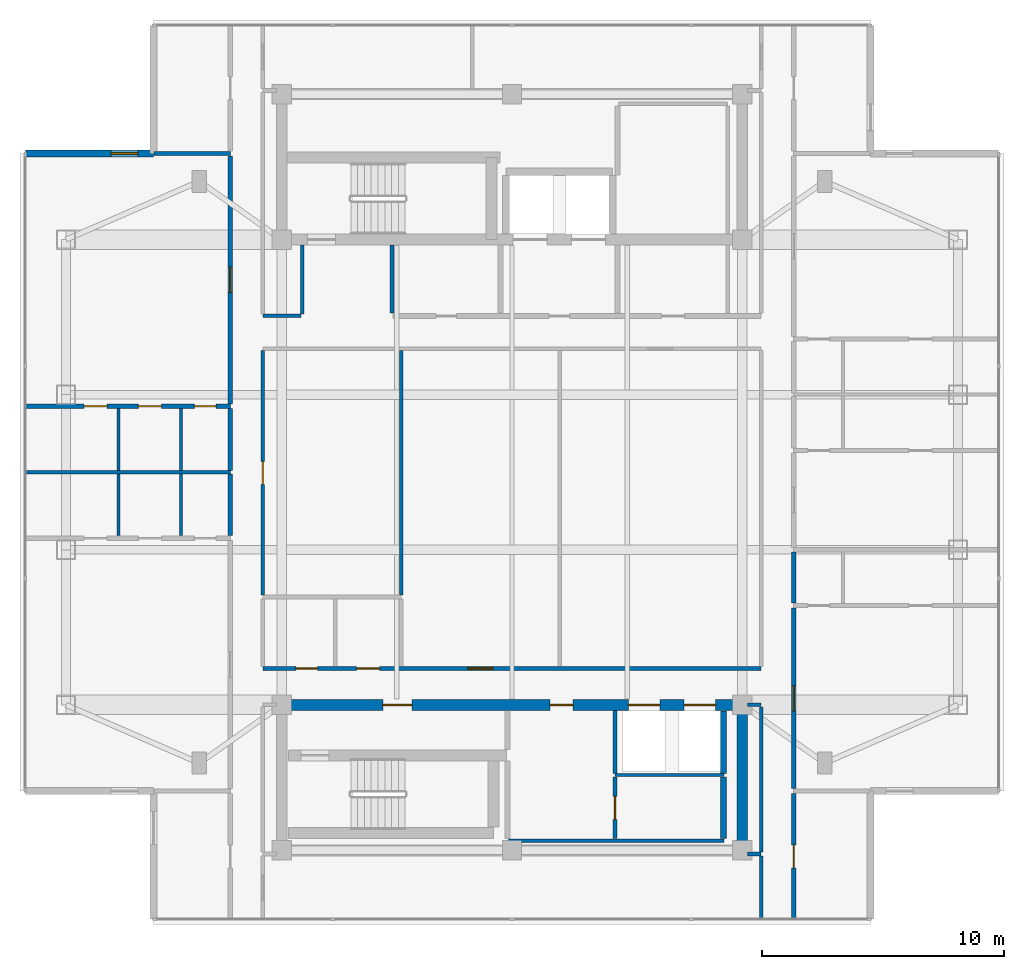
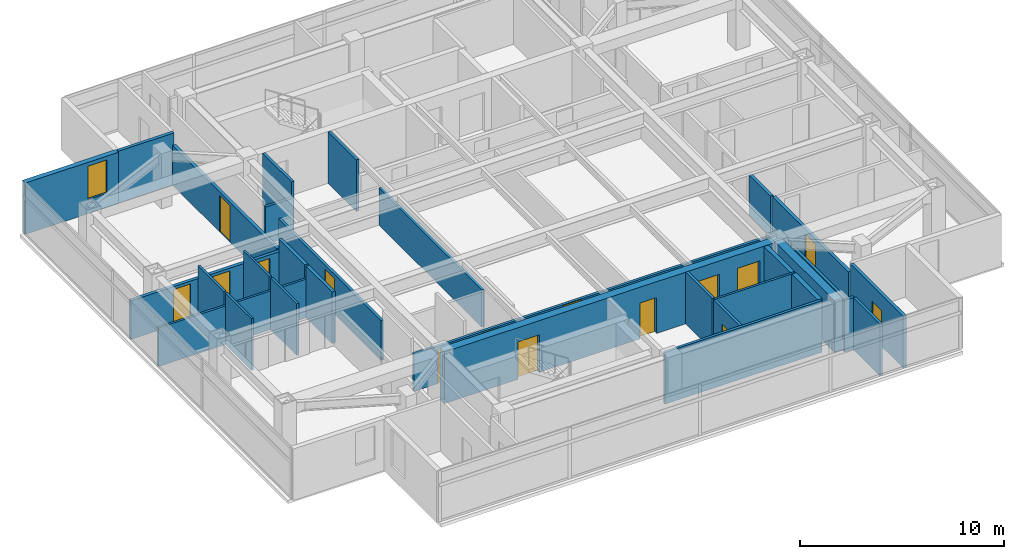
# One storey, part 7 of 12: 32 walls, 15 doors, 1 window, 16 openings.
"""IFC4 building model written with IfcOpenShell, lengths in metres."""

from ifc_helpers import new_model, si_unit, direction, frame, frame_2d, origin, place, context, subcontext, project, spatial, rectangle, extrude, material, layer, layer_set, type_object, element, fill, save


model = new_model("IFC4")

# Units and contexts
model_context = context("Model", 3, precision=1e-05, world=origin(), true_north=direction((0.0, 1.0)))
body_context = subcontext(model_context, "Body", "Model", "MODEL_VIEW")
ifc_project = project(units=[si_unit("LENGTHUNIT", "METRE"), si_unit("AREAUNIT", "SQUARE_METRE"), si_unit("VOLUMEUNIT", "CUBIC_METRE"), si_unit("PLANEANGLEUNIT", "RADIAN"), si_unit("MASSUNIT", "GRAM", prefix="KILO")], contexts=[model_context])

# Site, building, storey
site_placement = place(None, origin())
site = spatial("IfcSite", under=ifc_project, at=site_placement, CompositionType="ELEMENT")
building_placement = place(site_placement, origin())
building = spatial("IfcBuilding", under=site, at=building_placement, Name="Mirazonda Arch Towers", CompositionType="ELEMENT")
storey_placement = place(building_placement, frame((0.0, 0.0, 219.39990234375)))
storey = spatial("IfcBuildingStorey", under=building, at=storey_placement, Name="L62", CompositionType="ELEMENT", Elevation=219.39990234375)

# Wall
ifc_material_1 = material(Name="Concrete C50/60", Category="concrete")
ifc_layer_1 = layer(ifc_material_1, 0.449951171875, Name="WALL-CORE-450")
ifc_layer_set_1 = layer_set([ifc_layer_1], Name="Concrete C50/60")
wall_type_1 = type_object("IfcWallType", Name="WALL-CORE-450", PredefinedType="SHEAR", material=ifc_layer_set_1)
wall_1_placement = place(storey_placement, frame((30.0, 12.39990234375, 0.0), z_axis=(0.0, 0.0, 1.0), x_axis=(0.0, 1.0, 0.0)))
element("IfcWall", 1, at=wall_1_placement, inside=storey, type_object=wall_type_1, Name="L62 T1S-E Core Shear Wall", PredefinedType="SHEAR", context=body_context, shape_type="SweptSolid", body=[
    extrude(rectangle(XDim=6.0, YDim=0.449951171875, at=frame_2d((3.0, 0.0))), origin(), (0.0, 0.0, 1.0), 3.10009765625),
])

# Wall, openings, doors
wall_2_placement = place(storey_placement, frame((11.0, 18.39990234375, 0.0), z_axis=(0.0, 0.0, 1.0), x_axis=(1.0, 0.0, 0.0)))
wall_2 = element("IfcWall", 2, at=wall_2_placement, inside=storey, type_object=wall_type_1, Name="L62 T1S-N Core Shear Wall", PredefinedType="SHEAR", context=body_context, shape_type="SweptSolid", body=[
    extrude(rectangle(XDim=19.0, YDim=0.449951171875, at=frame_2d((9.5, 0.0))), origin(), (0.0, 0.0, 1.0), 3.10009765625),
])
opening_1_placement = place(wall_2_placement, frame((4.175048828125, 0.0, 0.0)))
opening_1 = element("IfcOpeningElement", 3, at=opening_1_placement, cuts=wall_2, Name="Opening DR-117", PredefinedType="OPENING", context=body_context, shape_type="SweptSolid", body=[
    extrude(rectangle(XDim=1.199951171875, YDim=2.25, at=frame_2d((0.60009765625, 1.125))), frame((0.0, 0.23486328125, 0.0), z_axis=(0.0, -1.0, 0.0), x_axis=(1.0, 0.0, 0.0)), (0.0, 0.0, 1.0), 0.469970703125),
])
opening_2_placement = place(wall_2_placement, frame((11.074951171875, 0.0, 0.0)))
opening_2 = element("IfcOpeningElement", 4, at=opening_2_placement, cuts=wall_2, Name="Opening DR-104", PredefinedType="OPENING", context=body_context, shape_type="SweptSolid", body=[
    extrude(rectangle(XDim=0.949951171875, YDim=2.14990234375, at=frame_2d((0.47509765625, 1.074951171875))), frame((0.0, 0.23486328125, 0.0), z_axis=(0.0, -1.0, 0.0), x_axis=(1.0, 0.0, 0.0)), (0.0, 0.0, 1.0), 0.469970703125),
])
opening_3_placement = place(wall_2_placement, frame((14.300048828125, 0.0, 0.0)))
opening_3 = element("IfcOpeningElement", 5, at=opening_3_placement, cuts=wall_2, Name="Opening LD-111", PredefinedType="OPENING", context=body_context, shape_type="SweptSolid", body=[
    extrude(rectangle(XDim=1.300048828125, YDim=2.300048828125, at=frame_2d((0.64990234375, 1.14990234375))), frame((0.0, 0.23486328125, 0.0), z_axis=(0.0, -1.0, 0.0), x_axis=(1.0, 0.0, 0.0)), (0.0, 0.0, 1.0), 0.469970703125),
])
opening_4_placement = place(wall_2_placement, frame((16.60009765625, 0.0, 0.0)))
opening_4 = element("IfcOpeningElement", 6, at=opening_4_placement, cuts=wall_2, Name="Opening LD-111", PredefinedType="OPENING", context=body_context, shape_type="SweptSolid", body=[
    extrude(rectangle(XDim=1.300048828125, YDim=2.300048828125, at=frame_2d((0.64990234375, 1.14990234375))), frame((0.0, 0.23486328125, 0.0), z_axis=(0.0, -1.0, 0.0), x_axis=(1.0, 0.0, 0.0)), (0.0, 0.0, 1.0), 0.469970703125),
])
ifc_material_2 = material(Name="Architectural Brushed Steel S355", Category="steel")
door_type_1 = type_object("IfcDoorType", Name="DOOR-FFL-FD90-1200", OperationType="NOTDEFINED", PredefinedType="DOOR", material=ifc_material_2)
door_1_placement = place(opening_1_placement, origin())
door_1 = element("IfcDoor", 7, at=door_1_placement, inside=storey, type_object=door_type_1, Name="L62 South Core Stair & Lift Lobby Door", OperationType="SINGLE_SWING_RIGHT", OverallHeight=2.25, OverallWidth=1.199951171875, PredefinedType="DOOR", context=body_context, shape_type="SweptSolid", body=[
    extrude(rectangle(XDim=1.199951171875, YDim=2.25, at=frame_2d((0.60009765625, 1.125))), frame((0.0, 0.02490234375, 0.0), z_axis=(0.0, -1.0, 0.0), x_axis=(1.0, 0.0, 0.0)), (0.0, 0.0, 1.0), 0.050048828125),
])
fill(opening_1, door_1)
door_type_2 = type_object("IfcDoorType", Name="DOOR-LIFT-LAND-1300", OperationType="NOTDEFINED", PredefinedType="DOOR", material=ifc_material_2)
door_2_placement = place(opening_3_placement, origin())
door_2 = element("IfcDoor", 8, at=door_2_placement, inside=storey, type_object=door_type_2, Name="L62 Lift Landing Sliding Door PL-T1H1", OperationType="DOUBLE_DOOR_SLIDING", OverallHeight=2.300048828125, OverallWidth=1.300048828125, PredefinedType="DOOR", context=body_context, shape_type="SweptSolid", body=[
    extrude(rectangle(XDim=1.300048828125, YDim=2.300048828125, at=frame_2d((0.64990234375, 1.14990234375))), frame((0.0, 0.02490234375, 0.0), z_axis=(0.0, -1.0, 0.0), x_axis=(1.0, 0.0, 0.0)), (0.0, 0.0, 1.0), 0.050048828125),
])
fill(opening_3, door_2)
door_3_placement = place(opening_4_placement, origin())
door_3 = element("IfcDoor", 9, at=door_3_placement, inside=storey, type_object=door_type_2, Name="L62 Lift Landing Sliding Door PL-T1H2", OperationType="DOUBLE_DOOR_SLIDING", OverallHeight=2.300048828125, OverallWidth=1.300048828125, PredefinedType="DOOR", context=body_context, shape_type="SweptSolid", body=[
    extrude(rectangle(XDim=1.300048828125, YDim=2.300048828125, at=frame_2d((0.64990234375, 1.14990234375))), frame((0.0, 0.02490234375, 0.0), z_axis=(0.0, -1.0, 0.0), x_axis=(1.0, 0.0, 0.0)), (0.0, 0.0, 1.0), 0.050048828125),
])
fill(opening_4, door_3)
door_type_3 = type_object("IfcDoorType", Name="DOOR-ROOM-950", OperationType="NOTDEFINED", PredefinedType="DOOR", material=ifc_material_2)
door_4_placement = place(opening_2_placement, origin())
door_4 = element("IfcDoor", 10, at=door_4_placement, inside=storey, type_object=door_type_3, Name="L62 Residents Wine Tasting Lounge Door", OperationType="SINGLE_SWING_RIGHT", OverallHeight=2.14990234375, OverallWidth=0.949951171875, PredefinedType="DOOR", context=body_context, shape_type="SweptSolid", body=[
    extrude(rectangle(XDim=0.949951171875, YDim=2.14990234375, at=frame_2d((0.47509765625, 1.074951171875))), frame((0.0, 0.02490234375, 0.0), z_axis=(0.0, -1.0, 0.0), x_axis=(1.0, 0.0, 0.0)), (0.0, 0.0, 1.0), 0.050048828125),
])
fill(opening_2, door_4)

# Wall, opening, window
ifc_material_3 = material(Name="Precast Concrete C40/50", Category="concrete")
ifc_layer_2 = layer(ifc_material_3, 0.280029296875, Name="WALL-EXT-WALL-280")
ifc_layer_set_2 = layer_set([ifc_layer_2], Name="Precast Concrete C40/50")
wall_type_2 = type_object("IfcWallType", Name="WALL-EXT-WALL-280", PredefinedType="SOLIDWALL", material=ifc_layer_set_2)
wall_3_placement = place(storey_placement, frame((5.7099609375, 41.14990234375, 0.0), z_axis=(0.0, 0.0, 1.0), x_axis=(-1.0, 0.0, 0.0)))
wall_3 = element("IfcWall", 11, at=wall_3_placement, inside=storey, type_object=wall_type_2, Name="L62 T1 Corner Notch Return Wall WL-L62-T1-CNW1", PredefinedType="SOLIDWALL", context=body_context, shape_type="SweptSolid", body=[
    extrude(rectangle(XDim=5.2900390625, YDim=0.280029296875, at=frame_2d((2.64501953125, 0.0))), origin(), (0.0, 0.0, 1.0), 3.080078125),
])
opening_5_placement = place(wall_3_placement, frame((0.64990234375, 0.0, 0.85009765625)))
opening_5 = element("IfcOpeningElement", 12, at=opening_5_placement, cuts=wall_3, Name="Opening WN-108", PredefinedType="OPENING", context=body_context, shape_type="SweptSolid", body=[
    extrude(rectangle(XDim=1.10009765625, YDim=2.0, at=frame_2d((0.550048828125, 1.0))), frame((0.0, 0.14990234375, 0.0), z_axis=(0.0, -1.0, 0.0), x_axis=(1.0, 0.0, 0.0)), (0.0, 0.0, 1.0), 0.300048828125),
])
ifc_material_4 = material(Name="Insulated Low-E Solar Glass", Category="glass")
window_type = type_object("IfcWindowType", Name="WIN-NOTCH-1100x2000", PartitioningType="SINGLE_PANEL", PredefinedType="WINDOW", material=ifc_material_4)
window_placement = place(opening_5_placement, origin())
window = element("IfcWindow", 13, at=window_placement, inside=storey, type_object=window_type, Name="L62 Punched Facade Window WN-L62-T1-CNW1", OverallHeight=2.0, OverallWidth=1.10009765625, PartitioningType="SINGLE_PANEL", PredefinedType="WINDOW", context=body_context, shape_type="SweptSolid", body=[
    extrude(rectangle(XDim=1.10009765625, YDim=2.0, at=frame_2d((0.550048828125, 1.0))), frame((0.0, 0.030029296875, 0.0), z_axis=(0.0, -1.0, 0.0), x_axis=(1.0, 0.0, 0.0)), (0.0, 0.0, 1.0), 0.06005859375),
])
fill(opening_5, window)

# Walls
ifc_material_5 = material(Name="Fire-Rated Gypsum Stud Partition")
ifc_layer_3 = layer(ifc_material_5, 0.14990234375, Name="WALL-PART-CORR-150")
ifc_layer_set_3 = layer_set([ifc_layer_3], Name="Fire-Rated Gypsum Stud Partition")
wall_type_3 = type_object("IfcWallType", Name="WALL-PART-CORR-150", PredefinedType="PARTITIONING", material=ifc_layer_set_3)
wall_4_placement = place(storey_placement, frame((30.219970703125, 12.25, 0.0), z_axis=(0.0, 0.0, 1.0), x_axis=(1.0, 0.0, 0.0)))
element("IfcWall", 14, at=wall_4_placement, inside=storey, type_object=wall_type_3, Name="L62 Interior Partition 002", PredefinedType="PARTITIONING", context=body_context, shape_type="SweptSolid", body=[
    extrude(rectangle(XDim=0.56005859375, YDim=0.14990234375, at=frame_2d((0.280029296875, 0.0))), origin(), (0.0, 0.0, 1.0), 3.10009765625),
])
wall_5_placement = place(storey_placement, frame((20.35009765625, 12.800048828125, 0.0), z_axis=(0.0, 0.0, 1.0), x_axis=(1.0, 0.0, 0.0)))
element("IfcWall", 15, at=wall_5_placement, inside=storey, type_object=wall_type_3, Name="L62 Interior Partition 003", PredefinedType="PARTITIONING", context=body_context, shape_type="SweptSolid", body=[
    extrude(rectangle(XDim=8.89990234375, YDim=0.14990234375, at=frame_2d((4.449951171875, 0.0))), origin(), (0.0, 0.0, 1.0), 3.10009765625),
])
wall_6_placement = place(storey_placement, frame((30.219970703125, 18.39990234375, 0.0), z_axis=(0.0, 0.0, 1.0), x_axis=(1.0, 0.0, 0.0)))
element("IfcWall", 16, at=wall_6_placement, inside=storey, type_object=wall_type_3, Name="L62 Interior Partition 010", PredefinedType="PARTITIONING", context=body_context, shape_type="SweptSolid", body=[
    extrude(rectangle(XDim=0.56005859375, YDim=0.14990234375, at=frame_2d((0.280029296875, 0.0))), origin(), (0.0, 0.0, 1.0), 2.4921875),
])

# Wall, openings, doors
wall_7_placement = place(storey_placement, frame((10.219970703125, 19.89990234375, 0.0), z_axis=(0.0, 0.0, 1.0), x_axis=(1.0, 0.0, 0.0)))
wall_7 = element("IfcWall", 17, at=wall_7_placement, inside=storey, type_object=wall_type_3, Name="L62 Interior Partition 011", PredefinedType="PARTITIONING", context=body_context, shape_type="SweptSolid", body=[
    extrude(rectangle(XDim=20.56005859375, YDim=0.14990234375, at=frame_2d((10.280029296875, 0.0))), origin(), (0.0, 0.0, 1.0), 2.236083984375),
])
opening_6_placement = place(wall_7_placement, frame((1.360107421875, 0.0, 0.0)))
opening_6 = element("IfcOpeningElement", 18, at=opening_6_placement, cuts=wall_7, Name="Opening DR-120", PredefinedType="OPENING", context=body_context, shape_type="SweptSolid", body=[
    extrude(rectangle(XDim=0.89990234375, YDim=2.10009765625, at=frame_2d((0.449951171875, 1.050048828125))), frame((0.0, 0.0849609375, 0.0), z_axis=(0.0, -1.0, 0.0), x_axis=(1.0, 0.0, 0.0)), (0.0, 0.0, 1.0), 0.169921875),
])
opening_7_placement = place(wall_7_placement, frame((3.8701171875, 0.0, 0.0)))
opening_7 = element("IfcOpeningElement", 19, at=opening_7_placement, cuts=wall_7, Name="Opening DR-104", PredefinedType="OPENING", context=body_context, shape_type="SweptSolid", body=[
    extrude(rectangle(XDim=0.949951171875, YDim=2.14990234375, at=frame_2d((0.47509765625, 1.074951171875))), frame((0.0, 0.0849609375, 0.0), z_axis=(0.0, -1.0, 0.0), x_axis=(1.0, 0.0, 0.0)), (0.0, 0.0, 1.0), 0.169921875),
])
opening_8_placement = place(wall_7_placement, frame((8.451904296875, 0.0, 0.0)))
opening_8 = element("IfcOpeningElement", 20, at=opening_8_placement, cuts=wall_7, Name="Opening DR-121", PredefinedType="OPENING", context=body_context, shape_type="SweptSolid", body=[
    extrude(rectangle(XDim=1.050048828125, YDim=2.199951171875, at=frame_2d((0.52490234375, 1.10009765625))), frame((0.0, 0.0849609375, 0.0), z_axis=(0.0, -1.0, 0.0), x_axis=(1.0, 0.0, 0.0)), (0.0, 0.0, 1.0), 0.169921875),
])
door_5_placement = place(opening_7_placement, origin())
door_5 = element("IfcDoor", 21, at=door_5_placement, inside=storey, type_object=door_type_3, Name="L62 L62 West Courtyard Study Door", OperationType="SINGLE_SWING_RIGHT", OverallHeight=2.14990234375, OverallWidth=0.949951171875, PredefinedType="DOOR", context=body_context, shape_type="SweptSolid", body=[
    extrude(rectangle(XDim=0.949951171875, YDim=2.14990234375, at=frame_2d((0.47509765625, 1.074951171875))), frame((0.0, 0.02490234375, 0.0), z_axis=(0.0, -1.0, 0.0), x_axis=(1.0, 0.0, 0.0)), (0.0, 0.0, 1.0), 0.050048828125),
])
fill(opening_7, door_5)
door_type_4 = type_object("IfcDoorType", Name="DOOR-SUITE-FD60-1050", OperationType="NOTDEFINED", PredefinedType="DOOR", material=ifc_material_2)
door_6_placement = place(opening_8_placement, origin())
door_6 = element("IfcDoor", 22, at=door_6_placement, inside=storey, type_object=door_type_4, Name="L62 Residents Private Library Door", OperationType="SINGLE_SWING_RIGHT", OverallHeight=2.199951171875, OverallWidth=1.050048828125, PredefinedType="DOOR", context=body_context, shape_type="SweptSolid", body=[
    extrude(rectangle(XDim=1.050048828125, YDim=2.199951171875, at=frame_2d((0.52490234375, 1.10009765625))), frame((0.0, 0.02490234375, 0.0), z_axis=(0.0, -1.0, 0.0), x_axis=(1.0, 0.0, 0.0)), (0.0, 0.0, 1.0), 0.050048828125),
])
fill(opening_8, door_6)
door_type_5 = type_object("IfcDoorType", Name="DOOR-WC-900", OperationType="NOTDEFINED", PredefinedType="DOOR", material=ifc_material_2)
door_7_placement = place(opening_6_placement, origin())
door_7 = element("IfcDoor", 23, at=door_7_placement, inside=storey, type_object=door_type_5, Name="L62 Common Accessible WC Door", OperationType="SINGLE_SWING_RIGHT", OverallHeight=2.10009765625, OverallWidth=0.89990234375, PredefinedType="DOOR", context=body_context, shape_type="SweptSolid", body=[
    extrude(rectangle(XDim=0.89990234375, YDim=2.10009765625, at=frame_2d((0.449951171875, 1.050048828125))), frame((0.0, 0.02490234375, 0.0), z_axis=(0.0, -1.0, 0.0), x_axis=(1.0, 0.0, 0.0)), (0.0, 0.0, 1.0), 0.050048828125),
])
fill(opening_6, door_7)

# Wall
wall_8_placement = place(storey_placement, frame((10.219970703125, 34.449951171875, 0.0), z_axis=(0.0, 0.0, 1.0), x_axis=(1.0, 0.0, 0.0)))
element("IfcWall", 24, at=wall_8_placement, inside=storey, type_object=wall_type_3, Name="L62 Interior Partition 022", PredefinedType="PARTITIONING", context=body_context, shape_type="SweptSolid", body=[
    extrude(rectangle(XDim=1.580078125, YDim=0.14990234375, at=frame_2d((0.7900390625, 0.0))), origin(), (0.0, 0.0, 1.0), 2.236083984375),
])

# Wall, opening, door
wall_9_placement = place(storey_placement, frame((10.219970703125, 22.93505859375, 0.0), z_axis=(0.0, 0.0, 1.0), x_axis=(0.0, 1.0, 0.0)))
wall_9 = element("IfcWall", 25, at=wall_9_placement, inside=storey, type_object=wall_type_3, Name="L62 Interior Partition 043", PredefinedType="PARTITIONING", context=body_context, shape_type="SweptSolid", body=[
    extrude(rectangle(XDim=10.079833984375, YDim=0.14990234375, at=frame_2d((5.0400390625, 0.0))), origin(), (0.0, 0.0, 1.0), 2.39599609375),
])
opening_9_placement = place(wall_9_placement, frame((4.56494140625, 0.0, 0.0)))
opening_9 = element("IfcOpeningElement", 26, at=opening_9_placement, cuts=wall_9, Name="Opening DR-104", PredefinedType="OPENING", context=body_context, shape_type="SweptSolid", body=[
    extrude(rectangle(XDim=0.949951171875, YDim=2.14990234375, at=frame_2d((0.47509765625, 1.074951171875))), frame((0.0, 0.0849609375, 0.0), z_axis=(0.0, -1.0, 0.0), x_axis=(1.0, 0.0, 0.0)), (0.0, 0.0, 1.0), 0.169921875),
])
door_8_placement = place(opening_9_placement, origin())
door_8 = element("IfcDoor", 27, at=door_8_placement, inside=storey, type_object=door_type_3, Name="L62 L62 West Courtyard Salon Door", OperationType="SINGLE_SWING_LEFT", OverallHeight=2.14990234375, OverallWidth=0.949951171875, PredefinedType="DOOR", context=body_context, shape_type="SweptSolid", body=[
    extrude(rectangle(XDim=0.949951171875, YDim=2.14990234375, at=frame_2d((0.47509765625, 1.074951171875))), frame((0.0, 0.02490234375, 0.0), z_axis=(0.0, -1.0, 0.0), x_axis=(1.0, 0.0, 0.0)), (0.0, 0.0, 1.0), 0.050048828125),
])
fill(opening_9, door_8)

# Walls
wall_10_placement = place(storey_placement, frame((11.85009765625, 34.534912109375, 0.0), z_axis=(0.0, 0.0, 1.0), x_axis=(0.0, 1.0, 0.0)))
element("IfcWall", 28, at=wall_10_placement, inside=storey, type_object=wall_type_3, Name="L62 Interior Partition 046", PredefinedType="PARTITIONING", context=body_context, shape_type="SweptSolid", body=[
    extrude(rectangle(XDim=2.844970703125, YDim=0.14990234375, at=frame_2d((1.42236328125, 0.0))), origin(), (0.0, 0.0, 1.0), 3.10009765625),
])
wall_11_placement = place(storey_placement, frame((15.550048828125, 34.570068359375, 0.0), z_axis=(0.0, 0.0, 1.0), x_axis=(0.0, 1.0, 0.0)))
element("IfcWall", 29, at=wall_11_placement, inside=storey, type_object=wall_type_3, Name="L62 Interior Partition 048", PredefinedType="PARTITIONING", context=body_context, shape_type="SweptSolid", body=[
    extrude(rectangle(XDim=2.809814453125, YDim=0.14990234375, at=frame_2d((1.40478515625, 0.0))), origin(), (0.0, 0.0, 1.0), 3.10009765625),
])
wall_12_placement = place(storey_placement, frame((15.929931640625, 22.93505859375, 0.0), z_axis=(0.0, 0.0, 1.0), x_axis=(0.0, 1.0, 0.0)))
element("IfcWall", 30, at=wall_12_placement, inside=storey, type_object=wall_type_3, Name="L62 Interior Partition 050", PredefinedType="PARTITIONING", context=body_context, shape_type="SweptSolid", body=[
    extrude(rectangle(XDim=10.079833984375, YDim=0.14990234375, at=frame_2d((5.0400390625, 0.0))), origin(), (0.0, 0.0, 1.0), 2.236083984375),
])

# Wall, opening, door
wall_13_placement = place(storey_placement, frame((24.75, 12.885009765625, 0.0), z_axis=(0.0, 0.0, 1.0), x_axis=(0.0, 1.0, 0.0)))
wall_13 = element("IfcWall", 31, at=wall_13_placement, inside=storey, type_object=wall_type_3, Name="L62 Interior Partition 058", PredefinedType="PARTITIONING", context=body_context, shape_type="SweptSolid", body=[
    extrude(rectangle(XDim=2.54248046875, YDim=0.14990234375, at=frame_2d((1.271240234375, 0.0))), origin(), (0.0, 0.0, 1.0), 3.10009765625),
])
opening_10_placement = place(wall_13_placement, frame((0.79638671875, 0.0, 0.0)))
opening_10 = element("IfcOpeningElement", 32, at=opening_10_placement, cuts=wall_13, Name="Opening DR-104", PredefinedType="OPENING", context=body_context, shape_type="SweptSolid", body=[
    extrude(rectangle(XDim=0.949951171875, YDim=2.14990234375, at=frame_2d((0.47509765625, 1.074951171875))), frame((0.0, 0.0849609375, 0.0), z_axis=(0.0, -1.0, 0.0), x_axis=(1.0, 0.0, 0.0)), (0.0, 0.0, 1.0), 0.169921875),
])
door_9_placement = place(opening_10_placement, origin())
door_9 = element("IfcDoor", 33, at=door_9_placement, inside=storey, type_object=door_type_3, Name="L62 Residents Private Archive Study Door", OperationType="SINGLE_SWING_LEFT", OverallHeight=2.14990234375, OverallWidth=0.949951171875, PredefinedType="DOOR", context=body_context, shape_type="SweptSolid", body=[
    extrude(rectangle(XDim=0.949951171875, YDim=2.14990234375, at=frame_2d((0.47509765625, 1.074951171875))), frame((0.0, 0.02490234375, 0.0), z_axis=(0.0, -1.0, 0.0), x_axis=(1.0, 0.0, 0.0)), (0.0, 0.0, 1.0), 0.050048828125),
])
fill(opening_10, door_9)

# Walls
wall_14_placement = place(storey_placement, frame((24.75, 15.572509765625, 0.0), z_axis=(0.0, 0.0, 1.0), x_axis=(0.0, 1.0, 0.0)))
element("IfcWall", 34, at=wall_14_placement, inside=storey, type_object=wall_type_3, Name="L62 Interior Partition 059", PredefinedType="PARTITIONING", context=body_context, shape_type="SweptSolid", body=[
    extrude(rectangle(XDim=2.607421875, YDim=0.14990234375, at=frame_2d((1.3037109375, 0.0))), origin(), (0.0, 0.0, 1.0), 3.10009765625),
])
wall_15_placement = place(storey_placement, frame((30.780029296875, 9.56005859375, 0.0), z_axis=(0.0, 0.0, 1.0), x_axis=(0.0, 1.0, 0.0)))
element("IfcWall", 35, at=wall_15_placement, inside=storey, type_object=wall_type_3, Name="L62 Interior Partition 067", PredefinedType="PARTITIONING", context=body_context, shape_type="SweptSolid", body=[
    extrude(rectangle(XDim=2.60498046875, YDim=0.14990234375, at=frame_2d((1.302490234375, 0.0))), origin(), (0.0, 0.0, 1.0), 3.10009765625),
])
wall_16_placement = place(storey_placement, frame((30.780029296875, 12.3349609375, 0.0), z_axis=(0.0, 0.0, 1.0), x_axis=(0.0, 1.0, 0.0)))
element("IfcWall", 36, at=wall_16_placement, inside=storey, type_object=wall_type_3, Name="L62 Interior Partition 068", PredefinedType="PARTITIONING", context=body_context, shape_type="SweptSolid", body=[
    extrude(rectangle(XDim=5.97998046875, YDim=0.14990234375, at=frame_2d((2.989990234375, 0.0))), origin(), (0.0, 0.0, 1.0), 2.4921875),
])

# Wall, openings, doors
ifc_material_6 = material(Name="Fire-Rated Gypsum Twin-Stud Assembly")
ifc_layer_4 = layer(ifc_material_6, 0.179931640625, Name="WALL-PART-DEMISE-180")
ifc_layer_set_4 = layer_set([ifc_layer_4], Name="Fire-Rated Gypsum Twin-Stud Assembly")
wall_type_4 = type_object("IfcWallType", Name="WALL-PART-DEMISE-180", PredefinedType="PARTITIONING", material=ifc_layer_set_4)
wall_17_placement = place(storey_placement, frame((0.419921875, 30.719970703125, 0.0), z_axis=(0.0, 0.0, 1.0), x_axis=(1.0, 0.0, 0.0)))
wall_17 = element("IfcWall", 37, at=wall_17_placement, inside=storey, type_object=wall_type_4, Name="L62 Interior Partition 018", PredefinedType="PARTITIONING", context=body_context, shape_type="SweptSolid", body=[
    extrude(rectangle(XDim=8.4599609375, YDim=0.179931640625, at=frame_2d((4.22998046875, 0.0))), origin(), (0.0, 0.0, 1.0), 2.319091796875),
])
opening_11_placement = place(wall_17_placement, frame((2.4208984375, 0.0, 0.0)))
opening_11 = element("IfcOpeningElement", 38, at=opening_11_placement, cuts=wall_17, Name="Opening DR-104", PredefinedType="OPENING", context=body_context, shape_type="SweptSolid", body=[
    extrude(rectangle(XDim=0.949951171875, YDim=2.14990234375, at=frame_2d((0.47509765625, 1.074951171875))), frame((0.0, 0.099853515625, 0.0), z_axis=(0.0, -1.0, 0.0), x_axis=(1.0, 0.0, 0.0)), (0.0, 0.0, 1.0), 0.199951171875),
])
opening_12_placement = place(wall_17_placement, frame((4.660888671875, 0.0, 0.0)))
opening_12 = element("IfcOpeningElement", 39, at=opening_12_placement, cuts=wall_17, Name="Opening DR-104", PredefinedType="OPENING", context=body_context, shape_type="SweptSolid", body=[
    extrude(rectangle(XDim=0.949951171875, YDim=2.14990234375, at=frame_2d((0.47509765625, 1.074951171875))), frame((0.0, 0.099853515625, 0.0), z_axis=(0.0, -1.0, 0.0), x_axis=(1.0, 0.0, 0.0)), (0.0, 0.0, 1.0), 0.199951171875),
])
opening_13_placement = place(wall_17_placement, frame((6.969970703125, 0.0, 0.0)))
opening_13 = element("IfcOpeningElement", 40, at=opening_13_placement, cuts=wall_17, Name="Opening DR-120", PredefinedType="OPENING", context=body_context, shape_type="SweptSolid", body=[
    extrude(rectangle(XDim=0.89990234375, YDim=2.10009765625, at=frame_2d((0.449951171875, 1.050048828125))), frame((0.0, 0.099853515625, 0.0), z_axis=(0.0, -1.0, 0.0), x_axis=(1.0, 0.0, 0.0)), (0.0, 0.0, 1.0), 0.199951171875),
])
door_10_placement = place(opening_11_placement, origin())
door_10 = element("IfcDoor", 41, at=door_10_placement, inside=storey, type_object=door_type_3, Name="L62 Residence 2 Principal Bedroom Door", OperationType="SINGLE_SWING_RIGHT", OverallHeight=2.14990234375, OverallWidth=0.949951171875, PredefinedType="DOOR", context=body_context, shape_type="SweptSolid", body=[
    extrude(rectangle(XDim=0.949951171875, YDim=2.14990234375, at=frame_2d((0.47509765625, 1.074951171875))), frame((0.0, 0.02490234375, 0.0), z_axis=(0.0, -1.0, 0.0), x_axis=(1.0, 0.0, 0.0)), (0.0, 0.0, 1.0), 0.050048828125),
])
fill(opening_11, door_10)
door_11_placement = place(opening_12_placement, origin())
door_11 = element("IfcDoor", 42, at=door_11_placement, inside=storey, type_object=door_type_3, Name="L62 Residence 2 Fitted Kitchen Door", OperationType="SINGLE_SWING_LEFT", OverallHeight=2.14990234375, OverallWidth=0.949951171875, PredefinedType="DOOR", context=body_context, shape_type="SweptSolid", body=[
    extrude(rectangle(XDim=0.949951171875, YDim=2.14990234375, at=frame_2d((0.47509765625, 1.074951171875))), frame((0.0, 0.02490234375, 0.0), z_axis=(0.0, -1.0, 0.0), x_axis=(1.0, 0.0, 0.0)), (0.0, 0.0, 1.0), 0.050048828125),
])
fill(opening_12, door_11)
door_12_placement = place(opening_13_placement, origin())
door_12 = element("IfcDoor", 43, at=door_12_placement, inside=storey, type_object=door_type_5, Name="L62 Residence 2 Bathroom Door", OperationType="SINGLE_SWING_RIGHT", OverallHeight=2.10009765625, OverallWidth=0.89990234375, PredefinedType="DOOR", context=body_context, shape_type="SweptSolid", body=[
    extrude(rectangle(XDim=0.89990234375, YDim=2.10009765625, at=frame_2d((0.449951171875, 1.050048828125))), frame((0.0, 0.02490234375, 0.0), z_axis=(0.0, -1.0, 0.0), x_axis=(1.0, 0.0, 0.0)), (0.0, 0.0, 1.0), 0.050048828125),
])
fill(opening_13, door_12)

# Walls
wall_18_placement = place(storey_placement, frame((5.72998046875, 41.14990234375, 0.0), z_axis=(0.0, 0.0, 1.0), x_axis=(1.0, 0.0, 0.0)))
element("IfcWall", 44, at=wall_18_placement, inside=storey, type_object=wall_type_4, Name="L62 Interior Partition 025", PredefinedType="PARTITIONING", context=body_context, shape_type="SweptSolid", body=[
    extrude(rectangle(XDim=3.14990234375, YDim=0.179931640625, at=frame_2d((1.574951171875, 0.0))), origin(), (0.0, 0.0, 1.0), 3.10009765625),
])
for number, where, z_axis, x_axis, name in (
    (45, (8.8798828125, 25.3798828125, 0.0), (0.0, 0.0, 1.0), (0.0, 1.0, 0.0), "L62 Interior Partition 036"),
    (46, (8.8798828125, 28.072509765625, 0.0), (0.0, 0.0, 1.0), (0.0, 1.0, 0.0), "L62 Interior Partition 037"),
):
    element("IfcWall", number, at=place(storey_placement, frame(where, z_axis=z_axis, x_axis=x_axis)), inside=storey, type_object=wall_type_4, Name=name, PredefinedType="PARTITIONING", context=body_context, shape_type="SweptSolid", body=[
        extrude(rectangle(XDim=2.547607421875, YDim=0.179931640625, at=frame_2d((1.27392578125, 0.0))), origin(), (0.0, 0.0, 1.0), 3.10009765625),
    ])

# Wall, opening, door
wall_19_placement = place(storey_placement, frame((8.8798828125, 30.820068359375, 0.0), z_axis=(0.0, 0.0, 1.0), x_axis=(0.0, 1.0, 0.0)))
wall_19 = element("IfcWall", 47, at=wall_19_placement, inside=storey, type_object=wall_type_4, Name="L62 Interior Partition 038", PredefinedType="PARTITIONING", context=body_context, shape_type="SweptSolid", body=[
    extrude(rectangle(XDim=10.22998046875, YDim=0.179931640625, at=frame_2d((5.114990234375, 0.0))), origin(), (0.0, 0.0, 1.0), 2.39599609375),
])
opening_14_placement = place(wall_19_placement, frame((4.590087890625, 0.0, 0.0)))
opening_14 = element("IfcOpeningElement", 48, at=opening_14_placement, cuts=wall_19, Name="Opening DR-121", PredefinedType="OPENING", context=body_context, shape_type="SweptSolid", body=[
    extrude(rectangle(XDim=1.050048828125, YDim=2.199951171875, at=frame_2d((0.52490234375, 1.10009765625))), frame((0.0, 0.099853515625, 0.0), z_axis=(0.0, -1.0, 0.0), x_axis=(1.0, 0.0, 0.0)), (0.0, 0.0, 1.0), 0.199951171875),
])
door_13_placement = place(opening_14_placement, origin())
door_13 = element("IfcDoor", 49, at=door_13_placement, inside=storey, type_object=door_type_4, Name="L62 Penthouse Residence 2 Living & Dining Salon Door", OperationType="SINGLE_SWING_LEFT", OverallHeight=2.199951171875, OverallWidth=1.050048828125, PredefinedType="DOOR", context=body_context, shape_type="SweptSolid", body=[
    extrude(rectangle(XDim=1.050048828125, YDim=2.199951171875, at=frame_2d((0.52490234375, 1.10009765625))), frame((0.0, 0.02490234375, 0.0), z_axis=(0.0, -1.0, 0.0), x_axis=(1.0, 0.0, 0.0)), (0.0, 0.0, 1.0), 0.050048828125),
])
fill(opening_14, door_13)

wall_20_placement = place(storey_placement, frame((32.1201171875, 9.56005859375, 0.0), z_axis=(0.0, 0.0, 1.0), x_axis=(0.0, 1.0, 0.0)))
wall_20 = element("IfcWall", 50, at=wall_20_placement, inside=storey, type_object=wall_type_4, Name="L62 Interior Partition 072", PredefinedType="PARTITIONING", context=body_context, shape_type="SweptSolid", body=[
    extrude(rectangle(XDim=5.18994140625, YDim=0.179931640625, at=frame_2d((2.594970703125, 0.0))), origin(), (0.0, 0.0, 1.0), 3.10009765625),
])
opening_15_placement = place(wall_20_placement, frame((2.1201171875, 0.0, 0.0)))
opening_15 = element("IfcOpeningElement", 51, at=opening_15_placement, cuts=wall_20, Name="Opening DR-104", PredefinedType="OPENING", context=body_context, shape_type="SweptSolid", body=[
    extrude(rectangle(XDim=0.949951171875, YDim=2.14990234375, at=frame_2d((0.47509765625, 1.074951171875))), frame((0.0, 0.099853515625, 0.0), z_axis=(0.0, -1.0, 0.0), x_axis=(1.0, 0.0, 0.0)), (0.0, 0.0, 1.0), 0.199951171875),
])
door_14_placement = place(opening_15_placement, origin())
door_14 = element("IfcDoor", 52, at=door_14_placement, inside=storey, type_object=door_type_3, Name="L62 South Panoramic Study Alcove East Door", OperationType="SINGLE_SWING_RIGHT", OverallHeight=2.14990234375, OverallWidth=0.949951171875, PredefinedType="DOOR", context=body_context, shape_type="SweptSolid", body=[
    extrude(rectangle(XDim=0.949951171875, YDim=2.14990234375, at=frame_2d((0.47509765625, 1.074951171875))), frame((0.0, 0.02490234375, 0.0), z_axis=(0.0, -1.0, 0.0), x_axis=(1.0, 0.0, 0.0)), (0.0, 0.0, 1.0), 0.050048828125),
])
fill(opening_15, door_14)

wall_21_placement = place(storey_placement, frame((32.1201171875, 14.949951171875, 0.0), z_axis=(0.0, 0.0, 1.0), x_axis=(0.0, 1.0, 0.0)))
wall_21 = element("IfcWall", 53, at=wall_21_placement, inside=storey, type_object=wall_type_4, Name="L62 Interior Partition 073", PredefinedType="PARTITIONING", context=body_context, shape_type="SweptSolid", body=[
    extrude(rectangle(XDim=7.449951171875, YDim=0.179931640625, at=frame_2d((3.72509765625, 0.0))), origin(), (0.0, 0.0, 1.0), 2.4921875),
])
opening_16_placement = place(wall_21_placement, frame((3.199951171875, 0.0, 0.0)))
opening_16 = element("IfcOpeningElement", 54, at=opening_16_placement, cuts=wall_21, Name="Opening DR-121", PredefinedType="OPENING", context=body_context, shape_type="SweptSolid", body=[
    extrude(rectangle(XDim=1.050048828125, YDim=2.199951171875, at=frame_2d((0.52490234375, 1.10009765625))), frame((0.0, 0.099853515625, 0.0), z_axis=(0.0, -1.0, 0.0), x_axis=(1.0, 0.0, 0.0)), (0.0, 0.0, 1.0), 0.199951171875),
])
door_15_placement = place(opening_16_placement, origin())
door_15 = element("IfcDoor", 55, at=door_15_placement, inside=storey, type_object=door_type_4, Name="L62 Studio Apartment 1 Living Salon Door", OperationType="SINGLE_SWING_LEFT", OverallHeight=2.199951171875, OverallWidth=1.050048828125, PredefinedType="DOOR", context=body_context, shape_type="SweptSolid", body=[
    extrude(rectangle(XDim=1.050048828125, YDim=2.199951171875, at=frame_2d((0.52490234375, 1.10009765625))), frame((0.0, 0.02490234375, 0.0), z_axis=(0.0, -1.0, 0.0), x_axis=(1.0, 0.0, 0.0)), (0.0, 0.0, 1.0), 0.050048828125),
])
fill(opening_16, door_15)

# Walls
wall_22_placement = place(storey_placement, frame((32.1201171875, 22.60009765625, 0.0), z_axis=(0.0, 0.0, 1.0), x_axis=(0.0, 1.0, 0.0)))
element("IfcWall", 56, at=wall_22_placement, inside=storey, type_object=wall_type_4, Name="L62 Interior Partition 074", PredefinedType="PARTITIONING", context=body_context, shape_type="SweptSolid", body=[
    extrude(rectangle(XDim=2.099853515625, YDim=0.179931640625, at=frame_2d((1.0498046875, 0.0))), origin(), (0.0, 0.0, 1.0), 2.39599609375),
])
ifc_material_7 = material(Name="Acoustic Fire-Rated Gypsum Partition")
ifc_layer_5 = layer(ifc_material_7, 0.125, Name="WALL-PART-UNIT-125")
ifc_layer_set_5 = layer_set([ifc_layer_5], Name="Acoustic Fire-Rated Gypsum Partition")
wall_type_5 = type_object("IfcWallType", Name="WALL-PART-UNIT-125", PredefinedType="PARTITIONING", material=ifc_layer_set_5)
wall_23_placement = place(storey_placement, frame((24.75, 15.5, 0.0), z_axis=(0.0, 0.0, 1.0), x_axis=(1.0, 0.0, 0.0)))
element("IfcWall", 57, at=wall_23_placement, inside=storey, type_object=wall_type_5, Name="L62 Interior Partition 007", PredefinedType="PARTITIONING", context=body_context, shape_type="SweptSolid", body=[
    extrude(rectangle(XDim=4.5, YDim=0.125, at=frame_2d((2.25, 0.0))), origin(), (0.0, 0.0, 1.0), 3.10009765625),
])
wall_24_placement = place(storey_placement, frame((0.419921875, 28.0, 0.0), z_axis=(0.0, 0.0, 1.0), x_axis=(1.0, 0.0, 0.0)))
element("IfcWall", 58, at=wall_24_placement, inside=storey, type_object=wall_type_5, Name="L62 Interior Partition 016", PredefinedType="PARTITIONING", context=body_context, shape_type="SweptSolid", body=[
    extrude(rectangle(XDim=8.4599609375, YDim=0.125, at=frame_2d((4.22998046875, 0.0))), origin(), (0.0, 0.0, 1.0), 2.319091796875),
])
for number, where, z_axis, x_axis, name in (
    (59, (4.27197265625, 25.3798828125, 0.0), (0.0, 0.0, 1.0), (0.0, 1.0, 0.0), "L62 Interior Partition 030"),
    (60, (4.27197265625, 28.072509765625, 0.0), (0.0, 0.0, 1.0), (0.0, 1.0, 0.0), "L62 Interior Partition 031"),
    (61, (6.840087890625, 25.3798828125, 0.0), (0.0, 0.0, 1.0), (0.0, 1.0, 0.0), "L62 Interior Partition 032"),
    (62, (6.840087890625, 28.072509765625, 0.0), (0.0, 0.0, 1.0), (0.0, 1.0, 0.0), "L62 Interior Partition 033"),
):
    element("IfcWall", number, at=place(storey_placement, frame(where, z_axis=z_axis, x_axis=x_axis)), inside=storey, type_object=wall_type_5, Name=name, PredefinedType="PARTITIONING", context=body_context, shape_type="SweptSolid", body=[
        extrude(rectangle(XDim=2.547607421875, YDim=0.125, at=frame_2d((1.27392578125, 0.0))), origin(), (0.0, 0.0, 1.0), 3.10009765625),
    ])
ifc_material_8 = material(Name="Concrete C40/50", Category="concrete")
ifc_layer_6 = layer(ifc_material_8, 0.25, Name="WALL-SHAFT-250")
ifc_layer_set_6 = layer_set([ifc_layer_6], Name="Concrete C40/50")
wall_type_6 = type_object("IfcWallType", Name="WALL-SHAFT-250", PredefinedType="SOLIDWALL", material=ifc_layer_set_6)
wall_25_placement = place(storey_placement, frame((29.22509765625, 12.885009765625, 0.0), z_axis=(0.0, 0.0, 1.0), x_axis=(0.0, 1.0, 0.0)))
element("IfcWall", 63, at=wall_25_placement, inside=storey, type_object=wall_type_6, Name="L62 Interior Partition 063", PredefinedType="SOLIDWALL", context=body_context, shape_type="SweptSolid", body=[
    extrude(rectangle(XDim=2.54248046875, YDim=0.25, at=frame_2d((1.271240234375, 0.0))), origin(), (0.0, 0.0, 1.0), 3.10009765625),
])
wall_26_placement = place(storey_placement, frame((29.22509765625, 15.572509765625, 0.0), z_axis=(0.0, 0.0, 1.0), x_axis=(0.0, 1.0, 0.0)))
element("IfcWall", 64, at=wall_26_placement, inside=storey, type_object=wall_type_6, Name="L62 Interior Partition 064", PredefinedType="SOLIDWALL", context=body_context, shape_type="SweptSolid", body=[
    extrude(rectangle(XDim=2.577392578125, YDim=0.25, at=frame_2d((1.28857421875, 0.0))), origin(), (0.0, 0.0, 1.0), 3.10009765625),
])

save(model, "model.ifc")
